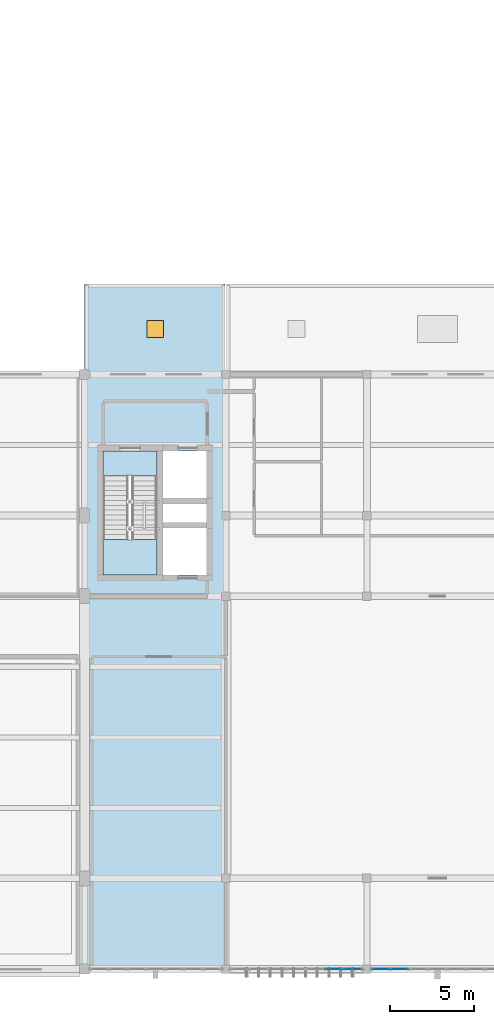
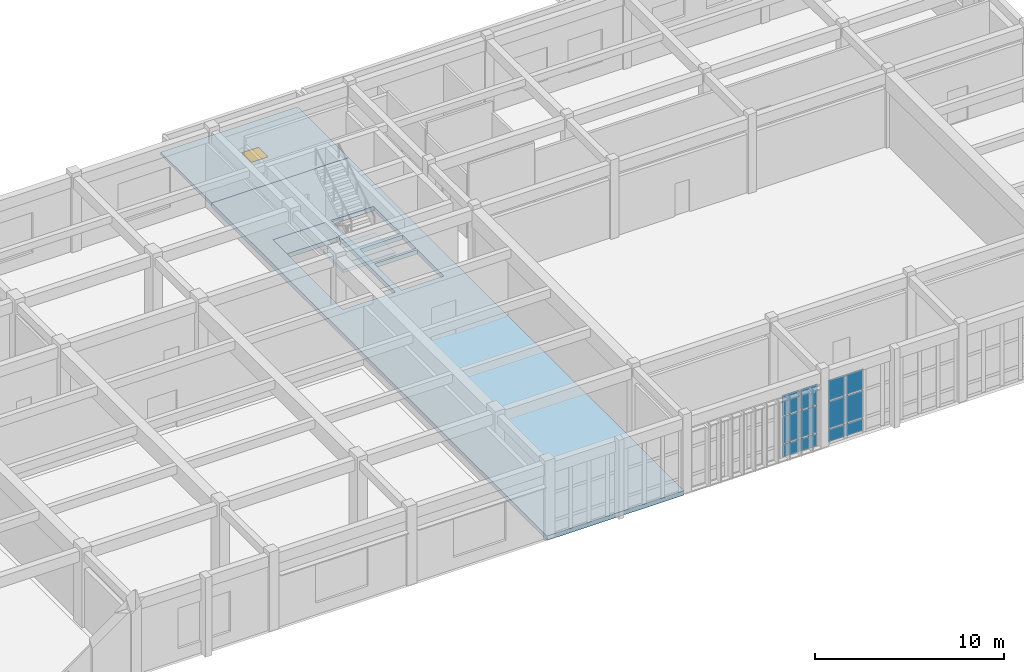
# One storey, part 58 of 93: 12 plates, 4 slabs, 1 door, 1 opening, 3 elements without a shape of their own.
"""IFC4 building model written with IfcOpenShell, lengths in metres."""

from ifc_helpers import new_model, si_unit, direction, frame, origin, origin_2d, place, context, subcontext, project, spatial, polyline, rectangle, outline, extrude, material, layer, layer_set, type_object, element, fill, aggregate, save


model = new_model("IFC4")

# Units and contexts
model_context = context("Model", 3, precision=1e-05, world=origin(), true_north=direction((0.0, 1.0)))
body_context = subcontext(model_context, "Body", "Model", "MODEL_VIEW")
ifc_project = project(units=[si_unit("LENGTHUNIT", "METRE"), si_unit("AREAUNIT", "SQUARE_METRE"), si_unit("VOLUMEUNIT", "CUBIC_METRE"), si_unit("PLANEANGLEUNIT", "RADIAN"), si_unit("MASSUNIT", "GRAM", prefix="KILO")], contexts=[model_context])

# Site, building, storey
site_placement = place(None, origin())
site = spatial("IfcSite", under=ifc_project, at=site_placement, CompositionType="ELEMENT")
building_placement = place(site_placement, origin())
building = spatial("IfcBuilding", under=site, at=building_placement, Name="Krzemoval Escarpment Law Courts", CompositionType="ELEMENT")
storey_placement = place(building_placement, frame((0.0, 0.0, 10.199951171875)))
storey = spatial("IfcBuildingStorey", under=building, at=storey_placement, Name="L02", CompositionType="ELEMENT", Elevation=10.199951171875)

# Curtain wall, plates
ifc_material_1 = material(Name="Aluminium 6063-T6", Category="aluminium")
ifc_layer_1 = layer(ifc_material_1, 0.239990234375)
ifc_layer_set_1 = layer_set([ifc_layer_1], Name="Aluminium 6063-T6")
curtain_wall_type = type_object("IfcCurtainWallType", Name="CW-LIBR-4800", PredefinedType="USERDEFINED", material=ifc_layer_set_1)
curtain_wall_1_placement = place(storey_placement, origin())
curtain_wall_1 = element("IfcCurtainWall", 1, at=curtain_wall_1_placement, inside=storey, type_object=curtain_wall_type, Name="Unitised Curtain Wall FCW-L02-083", ObjectType="UNITISED_CURTAIN_WALL", PredefinedType="USERDEFINED")
ifc_material_2 = material(Name="Triple Glazing IGU", Category="glass")
ifc_layer_2 = layer(ifc_material_2, 0.048095703125)
ifc_layer_set_2 = layer_set([ifc_layer_2], Name="Triple Glazing IGU")
plate_type = type_object("IfcPlateType", Name="CWP-GLZ-48", PredefinedType="CURTAIN_PANEL", material=ifc_layer_set_2)
plate_1_placement = place(storey_placement, frame((127.94287109375, 0.0, 0.074951171875), z_axis=(0.0, 0.0, 1.0), x_axis=(-1.0, 0.0, 0.0)))
plate_1 = element("IfcPlate", 2, at=plate_1_placement, type_object=plate_type, Name="FCW-L02-083 panel 6.1", PredefinedType="CURTAIN_PANEL", context=body_context, shape_type="SweptSolid", body=[
    extrude(rectangle(XDim=1.053466796875, YDim=0.048095703125, at=origin_2d()), origin(), (0.0, 0.0, 1.0), 0.78759765625),
])
plate_2_placement = place(storey_placement, frame((127.94287109375, 0.0, 0.9375), z_axis=(0.0, 0.0, 1.0), x_axis=(-1.0, 0.0, 0.0)))
plate_2 = element("IfcPlate", 3, at=plate_2_placement, type_object=plate_type, Name="FCW-L02-083 panel 6.2", PredefinedType="CURTAIN_PANEL", context=body_context, shape_type="SweptSolid", body=[
    extrude(rectangle(XDim=1.053466796875, YDim=0.048095703125, at=origin_2d()), origin(), (0.0, 0.0, 1.0), 1.72509765625),
])
plate_3_placement = place(storey_placement, frame((127.94287109375, 0.0, 2.737548828125), z_axis=(0.0, 0.0, 1.0), x_axis=(-1.0, 0.0, 0.0)))
plate_3 = element("IfcPlate", 4, at=plate_3_placement, type_object=plate_type, Name="FCW-L02-083 panel 6.3", PredefinedType="CURTAIN_PANEL", context=body_context, shape_type="SweptSolid", body=[
    extrude(rectangle(XDim=1.053466796875, YDim=0.048095703125, at=origin_2d()), origin(), (0.0, 0.0, 1.0), 1.3076171875),
])
plate_4_placement = place(storey_placement, frame((126.8330078125, 0.0, 0.074951171875), z_axis=(0.0, 0.0, 1.0), x_axis=(-1.0, 0.0, 0.0)))
plate_4 = element("IfcPlate", 5, at=plate_4_placement, type_object=plate_type, Name="FCW-L02-083 panel 7.1", PredefinedType="CURTAIN_PANEL", context=body_context, shape_type="SweptSolid", body=[
    extrude(rectangle(XDim=1.01611328125, YDim=0.048095703125, at=origin_2d()), origin(), (0.0, 0.0, 1.0), 0.78759765625),
])
plate_5_placement = place(storey_placement, frame((126.8330078125, 0.0, 0.9375), z_axis=(0.0, 0.0, 1.0), x_axis=(-1.0, 0.0, 0.0)))
plate_5 = element("IfcPlate", 6, at=plate_5_placement, type_object=plate_type, Name="FCW-L02-083 panel 7.2", PredefinedType="CURTAIN_PANEL", context=body_context, shape_type="SweptSolid", body=[
    extrude(rectangle(XDim=1.01611328125, YDim=0.048095703125, at=origin_2d()), origin(), (0.0, 0.0, 1.0), 1.72509765625),
])
plate_6_placement = place(storey_placement, frame((126.8330078125, 0.0, 2.737548828125), z_axis=(0.0, 0.0, 1.0), x_axis=(-1.0, 0.0, 0.0)))
plate_6 = element("IfcPlate", 7, at=plate_6_placement, type_object=plate_type, Name="FCW-L02-083 panel 7.3", PredefinedType="CURTAIN_PANEL", context=body_context, shape_type="SweptSolid", body=[
    extrude(rectangle(XDim=1.01611328125, YDim=0.048095703125, at=origin_2d()), origin(), (0.0, 0.0, 1.0), 1.3076171875),
])
aggregate(curtain_wall_1, [plate_1, plate_2, plate_3, plate_4, plate_5, plate_6])

curtain_wall_2_placement = place(storey_placement, origin())
curtain_wall_2 = element("IfcCurtainWall", 8, at=curtain_wall_2_placement, inside=storey, type_object=curtain_wall_type, Name="Unitised Curtain Wall FCW-L02-084", ObjectType="UNITISED_CURTAIN_WALL", PredefinedType="USERDEFINED")
plate_7_placement = place(storey_placement, frame((125.1669921875, 0.0, 0.074951171875), z_axis=(0.0, 0.0, 1.0), x_axis=(-1.0, 0.0, 0.0)))
plate_7 = element("IfcPlate", 9, at=plate_7_placement, type_object=plate_type, Name="FCW-L02-084 panel 1.1", PredefinedType="CURTAIN_PANEL", context=body_context, shape_type="SweptSolid", body=[
    extrude(rectangle(XDim=1.01611328125, YDim=0.048095703125, at=origin_2d()), origin(), (0.0, 0.0, 1.0), 0.78759765625),
])
plate_8_placement = place(storey_placement, frame((125.1669921875, 0.0, 0.9375), z_axis=(0.0, 0.0, 1.0), x_axis=(-1.0, 0.0, 0.0)))
plate_8 = element("IfcPlate", 10, at=plate_8_placement, type_object=plate_type, Name="FCW-L02-084 panel 1.2", PredefinedType="CURTAIN_PANEL", context=body_context, shape_type="SweptSolid", body=[
    extrude(rectangle(XDim=1.01611328125, YDim=0.048095703125, at=origin_2d()), origin(), (0.0, 0.0, 1.0), 1.72509765625),
])
plate_9_placement = place(storey_placement, frame((125.1669921875, 0.0, 2.737548828125), z_axis=(0.0, 0.0, 1.0), x_axis=(-1.0, 0.0, 0.0)))
plate_9 = element("IfcPlate", 11, at=plate_9_placement, type_object=plate_type, Name="FCW-L02-084 panel 1.3", PredefinedType="CURTAIN_PANEL", context=body_context, shape_type="SweptSolid", body=[
    extrude(rectangle(XDim=1.01611328125, YDim=0.048095703125, at=origin_2d()), origin(), (0.0, 0.0, 1.0), 1.3076171875),
])
plate_10_placement = place(storey_placement, frame((124.05712890625, 0.0, 0.074951171875), z_axis=(0.0, 0.0, 1.0), x_axis=(-1.0, 0.0, 0.0)))
plate_10 = element("IfcPlate", 12, at=plate_10_placement, type_object=plate_type, Name="FCW-L02-084 panel 2.1", PredefinedType="CURTAIN_PANEL", context=body_context, shape_type="SweptSolid", body=[
    extrude(rectangle(XDim=1.053466796875, YDim=0.048095703125, at=origin_2d()), origin(), (0.0, 0.0, 1.0), 0.78759765625),
])
plate_11_placement = place(storey_placement, frame((124.05712890625, 0.0, 0.9375), z_axis=(0.0, 0.0, 1.0), x_axis=(-1.0, 0.0, 0.0)))
plate_11 = element("IfcPlate", 13, at=plate_11_placement, type_object=plate_type, Name="FCW-L02-084 panel 2.2", PredefinedType="CURTAIN_PANEL", context=body_context, shape_type="SweptSolid", body=[
    extrude(rectangle(XDim=1.053466796875, YDim=0.048095703125, at=origin_2d()), origin(), (0.0, 0.0, 1.0), 1.72509765625),
])
plate_12_placement = place(storey_placement, frame((124.05712890625, 0.0, 2.737548828125), z_axis=(0.0, 0.0, 1.0), x_axis=(-1.0, 0.0, 0.0)))
plate_12 = element("IfcPlate", 14, at=plate_12_placement, type_object=plate_type, Name="FCW-L02-084 panel 2.3", PredefinedType="CURTAIN_PANEL", context=body_context, shape_type="SweptSolid", body=[
    extrude(rectangle(XDim=1.053466796875, YDim=0.048095703125, at=origin_2d()), origin(), (0.0, 0.0, 1.0), 1.3076171875),
])
aggregate(curtain_wall_2, [plate_7, plate_8, plate_9, plate_10, plate_11, plate_12])

# Stair, slab
ifc_material_3 = material(Name="Concrete C40/50", Category="concrete")
stair_type = type_object("IfcStairType", Name="STR-CORE-1500", PredefinedType="HALF_TURN_STAIR", material=ifc_material_3)
stair_placement = place(storey_placement, origin())
stair = element("IfcStair", 15, at=stair_placement, inside=storey, type_object=stair_type, Name="L02 ST6", PredefinedType="HALF_TURN_STAIR")
ifc_material_4 = material(Name="Concrete C40/50", Category="concrete")
ifc_layer_3 = layer(ifc_material_4, 0.199951171875)
ifc_layer_set_3 = layer_set([ifc_layer_3], Name="Concrete C40/50")
slab_type_1 = type_object("IfcSlabType", Name="SL-LND-200", PredefinedType="LANDING", material=ifc_layer_set_3)
slab_1_placement = place(storey_placement, frame((0.0, 0.0, 2.35009765625)))
slab_1 = element("IfcSlab", 16, at=slab_1_placement, type_object=slab_type_1, Name="ST6 landing 1", PredefinedType="LANDING", context=body_context, shape_type="SweptSolid", body=[
    extrude(outline(polyline([(110.300048828125, 25.580078125), (110.300048828125, 23.449951171875), (113.5, 23.449951171875), (113.5, 25.580078125), (110.300048828125, 25.580078125)])), origin(), (0.0, 0.0, 1.0), 0.199951171875),
])
aggregate(stair, [slab_1])

# Slabs
ifc_material_5 = material(Name="Concrete C50/60", Category="concrete")
ifc_layer_4 = layer(ifc_material_5, 0.280029296875)
ifc_layer_set_4 = layer_set([ifc_layer_4], Name="Concrete C50/60")
slab_type_2 = type_object("IfcSlabType", Name="SL-PT-280", PredefinedType="FLOOR", material=ifc_layer_set_4)
slab_2_placement = place(storey_placement, frame((0.0, 0.0, -0.280029296875)))
element("IfcSlab", 17, at=slab_2_placement, inside=storey, type_object=slab_type_2, Name="Floor Slab SL-L02-V3-031", PredefinedType="FLOOR", context=body_context, shape_type="SweptSolid", body=[
    extrude(outline(polyline([(109.199951171875, 0.0), (109.199951171875, 35.39990234375), (117.56005859375, 35.39990234375), (117.56005859375, 0.0), (109.199951171875, 0.0)]), holes=[polyline([(116.449951171875, 23.449951171875), (116.449951171875, 26.25), (113.85009765625, 26.25), (113.85009765625, 23.449951171875), (116.449951171875, 23.449951171875)]), polyline([(113.85009765625, 28.050048828125), (116.449951171875, 28.050048828125), (116.449951171875, 30.85009765625), (113.85009765625, 30.85009765625), (113.85009765625, 28.050048828125)]), polyline([(113.85009765625, 27.800048828125), (113.85009765625, 26.39990234375), (116.449951171875, 26.39990234375), (116.449951171875, 27.800048828125), (113.85009765625, 27.800048828125)]), polyline([(113.5, 30.85009765625), (110.300048828125, 30.85009765625), (110.300048828125, 23.449951171875), (113.5, 23.449951171875), (113.5, 30.85009765625)])]), origin(), (0.0, 0.0, 1.0), 0.280029296875),
])
slab_3_placement = place(storey_placement, frame((0.0, 0.0, -0.280029296875)))
element("IfcSlab", 18, at=slab_3_placement, inside=storey, type_object=slab_type_2, Name="Core Floor Landing Slab SL-ST6-L02-FL", PredefinedType="FLOOR", context=body_context, shape_type="SweptSolid", body=[
    extrude(outline(polyline([(110.300048828125, 30.85009765625), (110.300048828125, 29.35009765625), (113.5, 29.35009765625), (113.5, 30.85009765625), (110.300048828125, 30.85009765625)])), origin(), (0.0, 0.0, 1.0), 0.280029296875),
])

# Slab, opening, door
ifc_material_6 = material(Name="Concrete C40/50", Category="concrete")
ifc_layer_5 = layer(ifc_material_6, 0.179931640625)
ifc_layer_set_5 = layer_set([ifc_layer_5], Name="Concrete C40/50")
slab_type_3 = type_object("IfcSlabType", Name="SL-ROOF-FLAT180", PredefinedType="ROOF", material=ifc_layer_set_5)
slab_4_placement = place(storey_placement, frame((0.0, 0.0, -0.179931640625)))
slab_4 = element("IfcSlab", 19, at=slab_4_placement, inside=storey, type_object=slab_type_3, Name="Flat Roof Slab ROOF-V6LK-L02W", PredefinedType="ROOF", context=body_context, shape_type="SweptSolid", body=[
    extrude(outline(polyline([(109.199951171875, 35.39990234375), (109.199951171875, 40.800048828125), (117.56005859375, 40.800048828125), (117.56005859375, 35.39990234375), (109.199951171875, 35.39990234375)])), origin(), (0.0, 0.0, 1.0), 0.179931640625),
])
opening_placement = place(slab_4_placement, frame((113.39990234375, 38.10009765625, 0.0)))
opening = element("IfcOpeningElement", 20, at=opening_placement, cuts=slab_4, Name="Opening HT-03", PredefinedType="OPENING", context=body_context, shape_type="SweptSolid", body=[
    extrude(rectangle(XDim=1.0, YDim=1.0, at=origin_2d()), frame((0.0, 0.0, -0.015)), (0.0, 0.0, 1.0), 0.20993),
])
ifc_material_7 = material(Name="Thermally Broken Aluminium and Laminated Safety Glass", Category="aluminium")
door_type = type_object("IfcDoorType", Name="DR-HT-1000x1000", OperationType="SINGLE_SWING_LEFT", PredefinedType="TRAPDOOR", material=ifc_material_7)
door_placement = place(opening_placement, frame((0.0, 0.0, 0.1298828125)))
door = element("IfcDoor", 21, at=door_placement, inside=storey, type_object=door_type, Name="Roof Access Hatch HT-03", OperationType="SINGLE_SWING_LEFT", OverallHeight=1.0, OverallWidth=1.0, PredefinedType="TRAPDOOR", context=body_context, shape_type="SweptSolid", body=[
    extrude(rectangle(XDim=1.0, YDim=1.0, at=origin_2d()), origin(), (0.0, 0.0, 1.0), 0.050048828125),
])
fill(opening, door)

save(model, "model.ifc")
